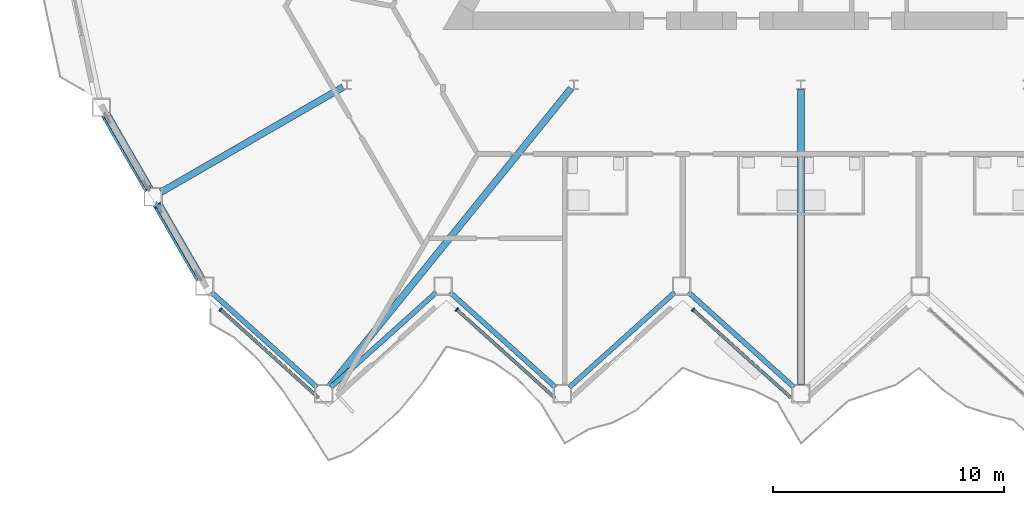
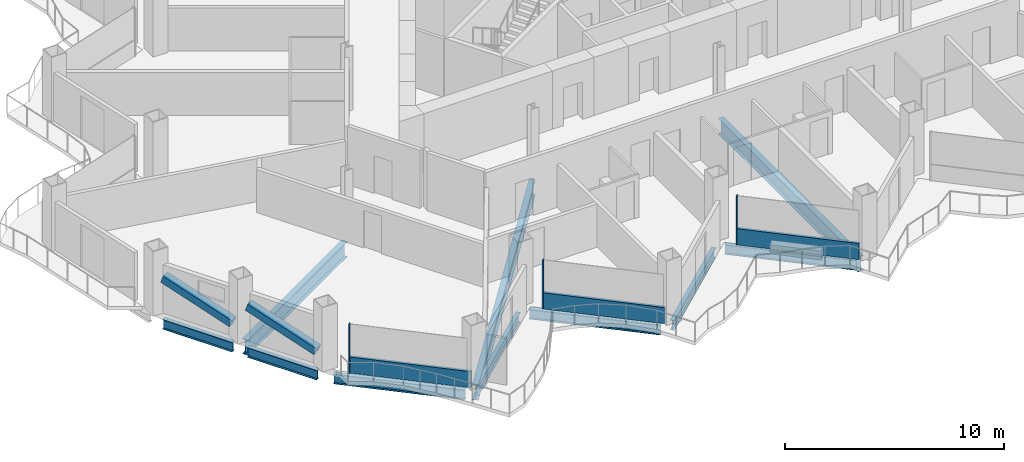
# One storey, part 3 of 23: 10 beams, 8 members, 3 elements without a shape of their own.
"""IFC4 building model written with IfcOpenShell, lengths in metres."""

from ifc_helpers import new_model, si_unit, direction, frame, origin, origin_2d, place, context, subcontext, project, spatial, rectangle, hollow_rectangle, i_section, extrude, material, layer, layer_set, material_profile, profile_set, type_object, element, aggregate, save


model = new_model("IFC4")

# Units and contexts
model_context = context("Model", 3, precision=1e-05, world=origin(), true_north=direction((0.0, 1.0)))
body_context = subcontext(model_context, "Body", "Model", "MODEL_VIEW")
ifc_project = project(units=[si_unit("LENGTHUNIT", "METRE"), si_unit("AREAUNIT", "SQUARE_METRE"), si_unit("VOLUMEUNIT", "CUBIC_METRE"), si_unit("PLANEANGLEUNIT", "RADIAN"), si_unit("MASSUNIT", "GRAM", prefix="KILO")], contexts=[model_context])

# Site, building, storey
site_placement = place(None, origin())
site = spatial("IfcSite", under=ifc_project, at=site_placement, CompositionType="ELEMENT")
building_placement = place(site_placement, origin())
building = spatial("IfcBuilding", under=site, at=building_placement, Name="Cormorant Prow Tower", CompositionType="ELEMENT")
storey_placement = place(building_placement, frame((0.0, 0.0, 176.39990234375)))
storey = spatial("IfcBuildingStorey", under=building, at=storey_placement, Name="L37", CompositionType="ELEMENT", Elevation=176.39990234375)

# Members
ifc_material_1 = material(Name="Structural steel ASTM A500 Gr C", Category="steel")
ifc_material_profile_1 = material_profile(ifc_material_1, hollow_rectangle(XDim=0.406494140625, YDim=0.406494140625, WallThickness=0.01171875, at=origin_2d()), Name="HSS16x16x1/2")
ifc_profile_set_1 = profile_set([ifc_material_profile_1], Name="Structural steel ASTM A500 Gr C")
member_type_1 = type_object("IfcMemberType", Name="Chamfer brace HSS16x16x1/2", PredefinedType="BRACE", material=ifc_profile_set_1)
member_1_placement = place(storey_placement, frame((-28.267333984375, -15.838623046875, 0.740234375), z_axis=(-0.473992878603, 0.821006330213, 0.318244177926), x_axis=(-0.866032413668, -0.499987858329, 0.0)))
element("IfcMember", 1, at=member_1_placement, inside=storey, type_object=member_type_1, Name="Chamfer brace BR2 at WSW00 L37", PredefinedType="BRACE", context=body_context, shape_type="SweptSolid", body=[
    extrude(hollow_rectangle(XDim=0.406494140625, YDim=0.406494140625, WallThickness=0.01171875, at=origin_2d()), origin(), (0.0, 0.0, 1.0), 3.835693359375),
])
member_2_placement = place(storey_placement, frame((-26.0322265625, -19.7099609375, 0.740234375), z_axis=(-0.474017648602, 0.820985582338, 0.318260808783), x_axis=(-0.866015628144, -0.500016931523, 0.0)))
element("IfcMember", 2, at=member_2_placement, inside=storey, type_object=member_type_1, Name="Chamfer brace BR2 at WSW01 L37", PredefinedType="BRACE", context=body_context, shape_type="SweptSolid", body=[
    extrude(hollow_rectangle(XDim=0.406494140625, YDim=0.406494140625, WallThickness=0.01171875, at=origin_2d()), origin(), (0.0, 0.0, 1.0), 3.83544921875),
])

# Curtain wall, member
ifc_material_2 = material(Name="Aluminium 6063-T6", Category="aluminium")
ifc_layer = layer(ifc_material_2, 0.179931640625)
ifc_layer_set = layer_set([ifc_layer], Name="Aluminium 6063-T6")
curtain_wall_type = type_object("IfcCurtainWallType", Name="Hotel unitised curtain wall 180", PredefinedType="NOTDEFINED", material=ifc_layer_set)
curtain_wall_1_placement = place(storey_placement, origin())
curtain_wall_1 = element("IfcCurtainWall", 3, at=curtain_wall_1_placement, inside=storey, type_object=curtain_wall_type, Name="Hotel curtain wall S00", PredefinedType="NOTDEFINED")
ifc_material_3 = material(Name="Aluminium 6063-T6", Category="aluminium")
ifc_material_profile_2 = material_profile(ifc_material_3, rectangle(XDim=0.179931640625, YDim=0.06005859375, at=origin_2d()), Name="Hotel mullion 60x180")
ifc_profile_set_2 = profile_set([ifc_material_profile_2], Name="Aluminium 6063-T6")
member_type_2 = type_object("IfcMemberType", Name="Hotel mullion 60x180", PredefinedType="MULLION", material=ifc_profile_set_2)
member_3_placement = place(storey_placement, frame((-25.134033203125, -21.08447265625, 0.0), z_axis=(0.0, 0.0, 1.0), x_axis=(0.669130488316, 0.743144931764, 0.0)))
member_3 = element("IfcMember", 4, at=member_3_placement, type_object=member_type_2, Name="Hotel mullion S00", PredefinedType="MULLION", context=body_context, shape_type="SweptSolid", body=[
    extrude(rectangle(XDim=0.179931640625, YDim=0.06005859375, at=origin_2d()), origin(), (0.0, 0.0, 1.0), 2.700927734375),
])

curtain_wall_2_placement = place(storey_placement, origin())
curtain_wall_2 = element("IfcCurtainWall", 5, at=curtain_wall_2_placement, inside=storey, type_object=curtain_wall_type, Name="Hotel curtain wall S02", PredefinedType="NOTDEFINED")
member_4_placement = place(storey_placement, frame((-14.90283203125, -21.08447265625, 0.0), z_axis=(0.0, 0.0, 1.0), x_axis=(0.669130560548, 0.743144866726, 0.0)))
member_4 = element("IfcMember", 6, at=member_4_placement, type_object=member_type_2, Name="Hotel mullion S02", PredefinedType="MULLION", context=body_context, shape_type="SweptSolid", body=[
    extrude(rectangle(XDim=0.179931640625, YDim=0.06005859375, at=origin_2d()), origin(), (0.0, 0.0, 1.0), 2.700927734375),
])

curtain_wall_3_placement = place(storey_placement, origin())
curtain_wall_3 = element("IfcCurtainWall", 7, at=curtain_wall_3_placement, inside=storey, type_object=curtain_wall_type, Name="Hotel curtain wall S04", PredefinedType="NOTDEFINED")
member_5_placement = place(storey_placement, frame((-4.67138671875, -21.08447265625, 0.0), z_axis=(0.0, 0.0, 1.0), x_axis=(0.669130560548, 0.743144866726, 0.0)))
member_5 = element("IfcMember", 8, at=member_5_placement, type_object=member_type_2, Name="Hotel mullion S04", PredefinedType="MULLION", context=body_context, shape_type="SweptSolid", body=[
    extrude(rectangle(XDim=0.179931640625, YDim=0.06005859375, at=origin_2d()), origin(), (0.0, 0.0, 1.0), 2.700927734375),
])

# Member
ifc_material_4 = material(Name="Terracotta", Category="masonry")
ifc_material_profile_3 = material_profile(ifc_material_4, rectangle(XDim=0.139892578125, YDim=0.89990234375, at=origin_2d()), Name="Hotel terracotta spandrel rail 140x900")
ifc_profile_set_3 = profile_set([ifc_material_profile_3], Name="Terracotta")
member_type_3 = type_object("IfcMemberType", Name="Hotel terracotta spandrel rail 140x900", PredefinedType="USERDEFINED", material=ifc_profile_set_3)
member_6_placement = place(storey_placement, frame((-25.11181640625, -21.1044921875, 0.4501953125), z_axis=(0.743138320107, -0.669137831234, 0.0), x_axis=(0.669137831234, 0.743138320107, 0.0)))
member_6 = element("IfcMember", 9, at=member_6_placement, type_object=member_type_3, Name="Hotel spandrel rail S00", ObjectType="TRANSOM", PredefinedType="USERDEFINED", context=body_context, shape_type="SweptSolid", body=[
    extrude(rectangle(XDim=0.139892578125, YDim=0.89990234375, at=origin_2d()), origin(), (0.0, 0.0, 1.0), 5.687744140625),
])

aggregate(curtain_wall_1, [member_3, member_6])

member_7_placement = place(storey_placement, frame((-14.88037109375, -21.1044921875, 0.4501953125), z_axis=(0.743138320107, -0.669137831234, 0.0), x_axis=(0.669137831234, 0.743138320107, 0.0)))
member_7 = element("IfcMember", 10, at=member_7_placement, type_object=member_type_3, Name="Hotel spandrel rail S02", ObjectType="TRANSOM", PredefinedType="USERDEFINED", context=body_context, shape_type="SweptSolid", body=[
    extrude(rectangle(XDim=0.139892578125, YDim=0.89990234375, at=origin_2d()), origin(), (0.0, 0.0, 1.0), 5.687744140625),
])

aggregate(curtain_wall_2, [member_4, member_7])

member_8_placement = place(storey_placement, frame((-4.64892578125, -21.1044921875, 0.4501953125), z_axis=(0.743138320107, -0.669137831234, 0.0), x_axis=(0.669137831234, 0.743138320107, 0.0)))
member_8 = element("IfcMember", 11, at=member_8_placement, type_object=member_type_3, Name="Hotel spandrel rail S04", ObjectType="TRANSOM", PredefinedType="USERDEFINED", context=body_context, shape_type="SweptSolid", body=[
    extrude(rectangle(XDim=0.139892578125, YDim=0.89990234375, at=origin_2d()), origin(), (0.0, 0.0, 1.0), 5.687744140625),
])

aggregate(curtain_wall_3, [member_5, member_8])

# Beams
ifc_material_5 = material(Name="Structural steel ASTM A992 Gr 50", Category="steel")
ifc_material_profile_4 = material_profile(ifc_material_5, i_section(OverallWidth=0.29296875, OverallDepth=0.845703125, WebThickness=0.015380859375, FlangeThickness=0.0244140625, at=origin_2d()), Name="W33x141")
ifc_profile_set_4 = profile_set([ifc_material_profile_4], Name="Structural steel ASTM A992 Gr 50")
beam_type_1 = type_object("IfcBeamType", Name="Radial floor beam W33x141", PredefinedType="BEAM", material=ifc_profile_set_4)
beam_1_placement = place(storey_placement, frame((-19.833251953125, -11.45068359375, -0.772705078125), z_axis=(-0.866023373109, -0.500003517217, 0.0), x_axis=(0.500003517217, -0.866023373109, 0.0)))
element("IfcBeam", 12, at=beam_1_placement, inside=storey, type_object=beam_type_1, Name="Radial floor beam FB2 5 L37", PredefinedType="BEAM", context=body_context, shape_type="SweptSolid", body=[
    extrude(i_section(OverallWidth=0.29296875, OverallDepth=0.845703125, WebThickness=0.015380859375, FlangeThickness=0.0244140625, at=origin_2d()), origin(), (0.0, 0.0, 1.0), 9.09814453125),
])
beam_2_placement = place(storey_placement, frame((-9.95654296875, -11.50732421875, -0.772705078125), z_axis=(-0.629385162657, -0.777093505974, 0.0), x_axis=(0.777093505974, -0.629385162657, 0.0)))
element("IfcBeam", 13, at=beam_2_placement, inside=storey, type_object=beam_type_1, Name="Radial floor beam FB2 6 L37", PredefinedType="BEAM", context=body_context, shape_type="SweptSolid", body=[
    extrude(i_section(OverallWidth=0.29296875, OverallDepth=0.845703125, WebThickness=0.015380859375, FlangeThickness=0.0244140625, at=origin_2d()), origin(), (0.0, 0.0, 1.0), 16.6044921875),
])
beam_3_placement = place(storey_placement, frame((0.0, -11.552734375, -0.772705078125), z_axis=(0.0, -1.0, 0.0), x_axis=(1.0, 0.0, 0.0)))
element("IfcBeam", 14, at=beam_3_placement, inside=storey, type_object=beam_type_1, Name="Radial floor beam FB2 7 L37", PredefinedType="BEAM", context=body_context, shape_type="SweptSolid", body=[
    extrude(i_section(OverallWidth=0.29296875, OverallDepth=0.845703125, WebThickness=0.015380859375, FlangeThickness=0.0244140625, at=origin_2d()), origin(), (0.0, 0.0, 1.0), 12.768798828125),
])
ifc_material_6 = material(Name="Structural steel ASTM A992 Gr 50", Category="steel")
ifc_material_profile_5 = material_profile(ifc_material_6, i_section(OverallWidth=0.2138671875, OverallDepth=0.549072265625, WebThickness=0.0146484375, FlangeThickness=0.023681640625, at=origin_2d()), Name="W21x93")
ifc_profile_set_5 = profile_set([ifc_material_profile_5], Name="Structural steel ASTM A992 Gr 50")
beam_type_2 = type_object("IfcBeamType", Name="Spandrel beam W21x93", PredefinedType="SPANDREL", material=ifc_profile_set_5)
beam_4_placement = place(storey_placement, frame((-25.5263671875, -20.3388671875, -0.62451171875), z_axis=(0.743155953285, -0.669118247469, 0.0), x_axis=(0.669118247469, 0.743155953285, 0.0)))
element("IfcBeam", 15, at=beam_4_placement, inside=storey, type_object=beam_type_2, Name="Spandrel beam SB2 S00-S01 L37", PredefinedType="SPANDREL", context=body_context, shape_type="SweptSolid", body=[
    extrude(i_section(OverallWidth=0.2138671875, OverallDepth=0.549072265625, WebThickness=0.0146484375, FlangeThickness=0.023681640625, at=origin_2d()), origin(), (0.0, 0.0, 1.0), 6.14990234375),
])
for number, where, z_axis, x_axis, name in (
    (16, (-20.361572265625, -24.453857421875, -0.62451171875), (0.743138178716, 0.669137988261, 0.0), (-0.669137988261, 0.743138178716, 0.0), "Spandrel beam SB2 S01-S02 L37"),
    (17, (-15.19677734375, -20.3388671875, -0.62451171875), (0.743138178716, -0.669137988261, 0.0), (0.669137988261, 0.743138178716, 0.0), "Spandrel beam SB2 S02-S03 L37"),
):
    element("IfcBeam", number, at=place(storey_placement, frame(where, z_axis=z_axis, x_axis=x_axis)), inside=storey, type_object=beam_type_2, Name=name, PredefinedType="SPANDREL", context=body_context, shape_type="SweptSolid", body=[
        extrude(i_section(OverallWidth=0.2138671875, OverallDepth=0.549072265625, WebThickness=0.0146484375, FlangeThickness=0.023681640625, at=origin_2d()), origin(), (0.0, 0.0, 1.0), 6.149658203125),
    ])
beam_5_placement = place(storey_placement, frame((-10.0322265625, -24.453857421875, -0.62451171875), z_axis=(0.743155953285, 0.669118247469, 0.0), x_axis=(-0.669118247469, 0.743155953285, 0.0)))
element("IfcBeam", 18, at=beam_5_placement, inside=storey, type_object=beam_type_2, Name="Spandrel beam SB2 S03-S04 L37", PredefinedType="SPANDREL", context=body_context, shape_type="SweptSolid", body=[
    extrude(i_section(OverallWidth=0.2138671875, OverallDepth=0.549072265625, WebThickness=0.0146484375, FlangeThickness=0.023681640625, at=origin_2d()), origin(), (0.0, 0.0, 1.0), 6.14990234375),
])
beam_6_placement = place(storey_placement, frame((-4.867431640625, -20.3388671875, -0.62451171875), z_axis=(0.743138178716, -0.669137988261, 0.0), x_axis=(0.669137988261, 0.743138178716, 0.0)))
element("IfcBeam", 19, at=beam_6_placement, inside=storey, type_object=beam_type_2, Name="Spandrel beam SB2 S04-S05 L37", PredefinedType="SPANDREL", context=body_context, shape_type="SweptSolid", body=[
    extrude(i_section(OverallWidth=0.2138671875, OverallDepth=0.549072265625, WebThickness=0.0146484375, FlangeThickness=0.023681640625, at=origin_2d()), origin(), (0.0, 0.0, 1.0), 6.149658203125),
])
for number, where, z_axis, x_axis, name in (
    (20, (-30.093994140625, -12.674560546875, -0.62451171875), (0.499994986164, -0.866028298505, 0.0), (0.866028298505, 0.499994986164, 0.0), "Spandrel beam SB2 WSW00-WSW01 L37"),
    (21, (-27.85888671875, -16.546142578125, -0.62451171875), (0.499994986164, -0.866028298505, 0.0), (0.866028298505, 0.499994986164, 0.0), "Spandrel beam SB2 WSW01-S00 L37"),
):
    element("IfcBeam", number, at=place(storey_placement, frame(where, z_axis=z_axis, x_axis=x_axis)), inside=storey, type_object=beam_type_2, Name=name, PredefinedType="SPANDREL", context=body_context, shape_type="SweptSolid", body=[
        extrude(i_section(OverallWidth=0.2138671875, OverallDepth=0.549072265625, WebThickness=0.0146484375, FlangeThickness=0.023681640625, at=origin_2d()), origin(), (0.0, 0.0, 1.0), 3.67041015625),
    ])

save(model, "model.ifc")
